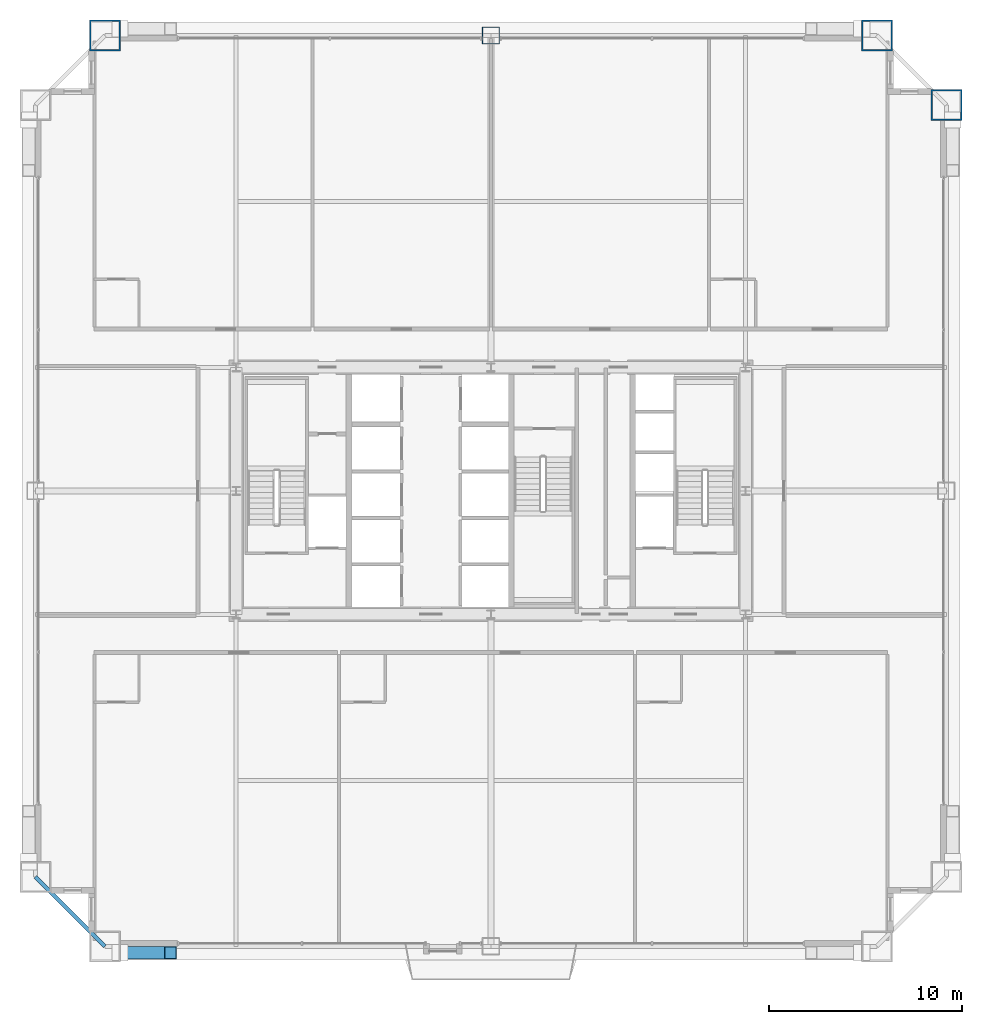
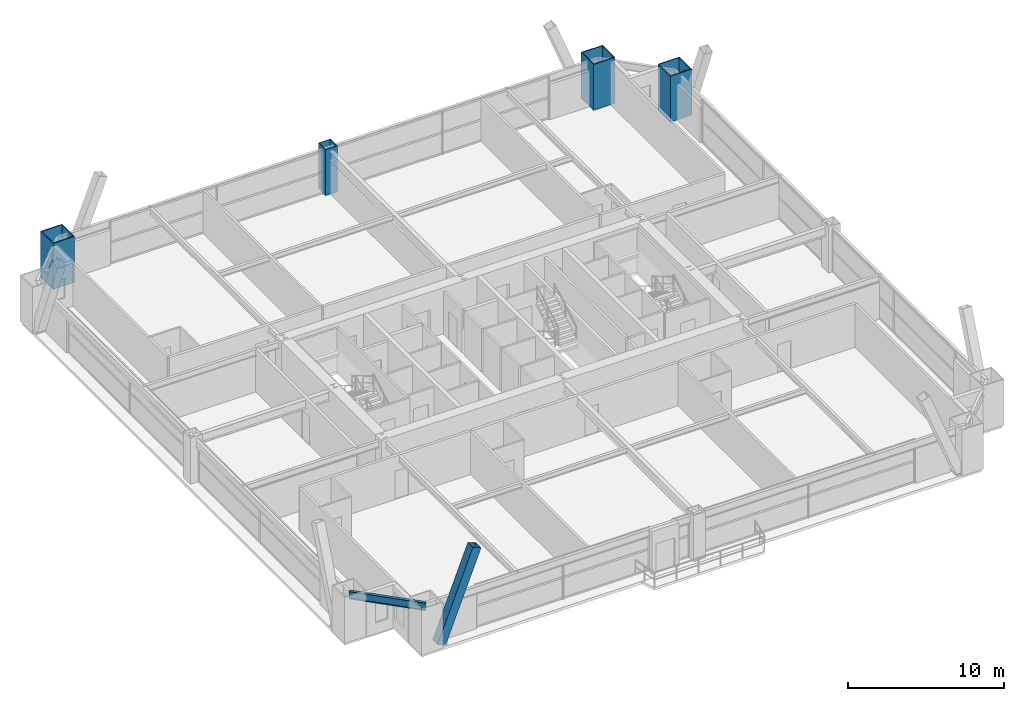
# One storey, part 2 of 43: 4 columns, 1 beam, 1 member.
"""IFC4 building model written with IfcOpenShell, lengths in metres."""

from ifc_helpers import new_model, si_unit, direction, frame, origin, origin_2d, place, context, subcontext, project, spatial, hollow_rectangle, i_section, extrude, source, transform, mapped, material, material_profile, profile_set, type_object, element, save


model = new_model("IFC4")

# Units and contexts
model_context = context("Model", 3, precision=1e-05, world=origin(), true_north=direction((0.0, 1.0)))
body_context = subcontext(model_context, "Body", "Model", "MODEL_VIEW")
ifc_project = project(units=[si_unit("LENGTHUNIT", "METRE"), si_unit("AREAUNIT", "SQUARE_METRE"), si_unit("VOLUMEUNIT", "CUBIC_METRE"), si_unit("PLANEANGLEUNIT", "RADIAN"), si_unit("MASSUNIT", "GRAM", prefix="KILO"), si_unit("THERMODYNAMICTEMPERATUREUNIT", "KELVIN"), si_unit("POWERUNIT", "WATT")], contexts=[model_context])

# Site, building, storey
site_placement = place(None, origin())
site = spatial("IfcSite", under=ifc_project, at=site_placement, CompositionType="ELEMENT")
building_placement = place(site_placement, origin())
building = spatial("IfcBuilding", under=site, at=building_placement, Name="Yuzanri Waterfront Tower", CompositionType="ELEMENT")
storey_placement = place(building_placement, frame((0.0, 0.0, 108.199951171875)))
storey = spatial("IfcBuildingStorey", under=building, at=storey_placement, Name="L28", CompositionType="ELEMENT", Elevation=108.199951171875)

# Columns
ifc_material_1 = material(Name="Steel Q390GJC", Category="steel")
ifc_material_profile_1 = material_profile(ifc_material_1, hollow_rectangle(XDim=0.89990234375, YDim=0.89990234375, WallThickness=0.0419921875, at=origin_2d()), Name="RHS 900x900x42")
ifc_profile_set_1 = profile_set([ifc_material_profile_1], Name="Steel Q390GJC")
column_type_1 = type_object("IfcColumnType", Name="Frame Column Q390GJC RHS 900x900x42", PredefinedType="COLUMN", material=ifc_profile_set_1)
shared_shape_1 = source(origin(), body_context, "Body", "SweptSolid", [
    extrude(hollow_rectangle(XDim=0.89990234375, YDim=0.89990234375, WallThickness=0.0419921875, at=origin_2d()), origin(), (0.0, 0.0, 1.0), 3.60009765625),
])
column_placement = place(storey_placement, frame((37.0, 49.39990234375, 0.0), z_axis=(0.0, 0.0, 1.0), x_axis=(1.0, 0.0, 0.0)))
element("IfcColumn", 1, at=column_placement, inside=storey, type_object=column_type_1, Name="L28 Perimeter Frame Column N2", PredefinedType="COLUMN", context=body_context, shape_type="MappedRepresentation", body=[
    mapped(shared_shape_1, transform((0.0, 0.0, 0.0), scale=1.0)),
])
ifc_material_2 = material(Name="Steel Q420GJC", Category="steel")
ifc_material_profile_2 = material_profile(ifc_material_2, hollow_rectangle(XDim=1.60009765625, YDim=1.60009765625, WallThickness=0.070068359375, at=origin_2d()), Name="RHS 1600x1600x70")
ifc_profile_set_2 = profile_set([ifc_material_profile_2], Name="Steel Q420GJC")
column_type_2 = type_object("IfcColumnType", Name="Mega Column Q420GJC RHS 1600x1600x70", PredefinedType="COLUMN", material=ifc_profile_set_2)
shared_shape_2 = source(origin(), body_context, "Body", "SweptSolid", [
    extrude(hollow_rectangle(XDim=1.60009765625, YDim=1.60009765625, WallThickness=0.070068359375, at=origin_2d()), origin(), (0.0, 0.0, 1.0), 3.60009765625),
])
for number, where, z_axis, x_axis, name in (
    (2, (17.0, 49.39990234375, 0.0), (0.0, 0.0, 1.0), (1.0, 0.0, 0.0), "L28 Perimeter Mega Column N1"),
    (3, (57.0, 49.39990234375, 0.0), (0.0, 0.0, 1.0), (1.0, 0.0, 0.0), "L28 Perimeter Mega Column N3"),
    (4, (60.60009765625, 45.800048828125, 0.0), (0.0, 0.0, 1.0), (1.0, 0.0, 0.0), "L28 Perimeter Mega Column E3"),
):
    element("IfcColumn", number, at=place(storey_placement, frame(where, z_axis=z_axis, x_axis=x_axis)), inside=storey, type_object=column_type_2, Name=name, PredefinedType="COLUMN", context=body_context, shape_type="MappedRepresentation", body=[
        mapped(shared_shape_2, transform((0.0, 0.0, 0.0), scale=1.0)),
    ])

# Beam
ifc_material_3 = material(Name="Steel Q355B", Category="steel")
ifc_material_profile_3 = material_profile(ifc_material_3, i_section(OverallWidth=0.199951171875, OverallDepth=0.60009765625, WebThickness=0.010986328125, FlangeThickness=0.01708984375, at=origin_2d()), Name="HN 600x200x11x17")
ifc_profile_set_3 = profile_set([ifc_material_profile_3], Name="Steel Q355B")
beam_type = type_object("IfcBeamType", Name="Perimeter Spandrel Q355B HN 600x200", PredefinedType="SPANDREL", material=ifc_profile_set_3)
shared_shape_3 = source(origin(), body_context, "Body", "SweptSolid", [
    extrude(i_section(OverallWidth=0.199951171875, OverallDepth=0.60009765625, WebThickness=0.010986328125, FlangeThickness=0.01708984375, at=origin_2d()), origin(), (0.0, 0.0, 1.0), 5.09130859375),
])
beam_placement = place(storey_placement, frame((13.39990234375, 5.800048828125, 3.080078125), z_axis=(0.707106781187, -0.707106781187, 0.0), x_axis=(0.707106781187, 0.707106781187, 0.0)))
element("IfcBeam", 5, at=beam_placement, inside=storey, type_object=beam_type, Name="L28 Perimeter Spandrel W1-S1", PredefinedType="SPANDREL", context=body_context, shape_type="MappedRepresentation", body=[
    mapped(shared_shape_3, transform((0.0, 0.0, 0.0), scale=1.0)),
])

# Member
ifc_material_4 = material(Name="Steel Q420GJC", Category="steel")
ifc_material_profile_4 = material_profile(ifc_material_4, hollow_rectangle(XDim=0.64990234375, YDim=0.64990234375, WallThickness=0.028076171875, at=origin_2d()), Name="RHS 650x650x28")
ifc_profile_set_4 = profile_set([ifc_material_profile_4], Name="Steel Q420GJC")
member_type = type_object("IfcMemberType", Name="Mega Brace Lower Q420GJC RHS 650x650x28", PredefinedType="BRACE", material=ifc_profile_set_4)
shared_shape_4 = source(origin(), body_context, "Body", "SweptSolid", [
    extrude(hollow_rectangle(XDim=0.64990234375, YDim=0.64990234375, WallThickness=0.028076171875, at=origin_2d()), origin(), (0.0, 0.0, 1.0), 7.194091796875),
])
member_placement = place(storey_placement, frame((17.780029296875, 1.860107421875, 0.179931640625), z_axis=(0.36416517997, 0.0, 0.931334376955), x_axis=(0.0, 1.0, 0.0)))
element("IfcMember", 6, at=member_placement, inside=storey, type_object=member_type, Name="L28-L29 Perimeter Mega-Brace S-L", PredefinedType="BRACE", context=body_context, shape_type="MappedRepresentation", body=[
    mapped(shared_shape_4, transform((0.0, 0.0, 0.0), scale=1.0)),
])

save(model, "model.ifc")
